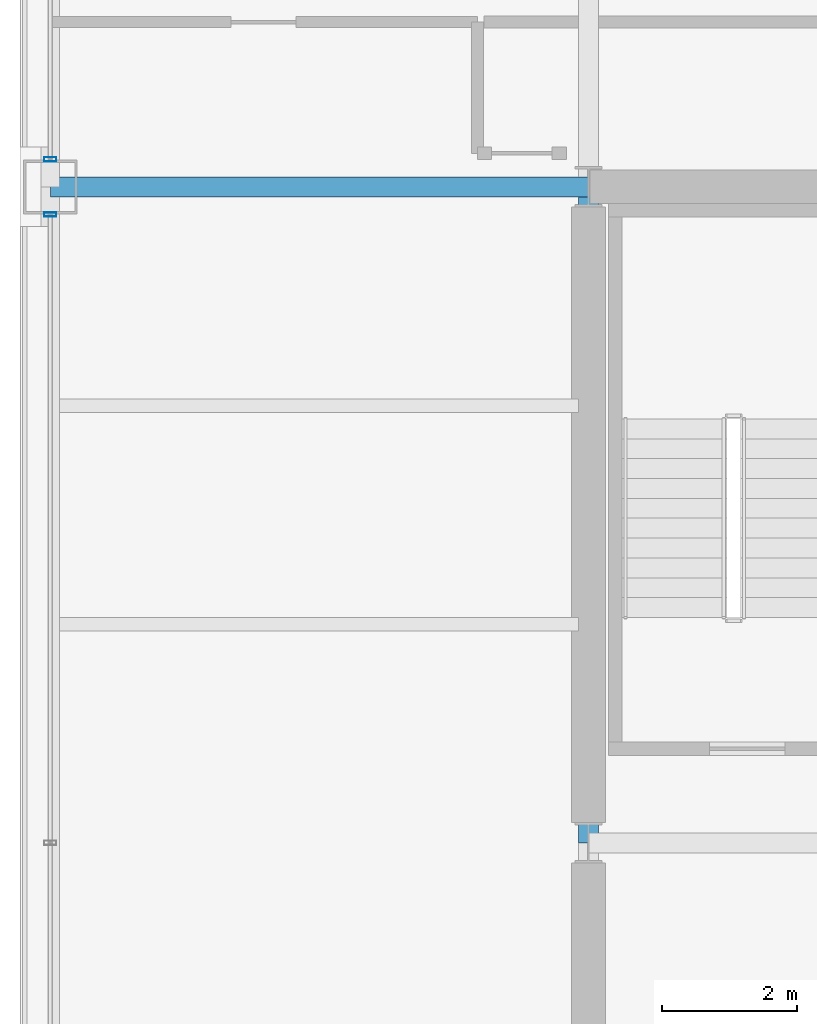
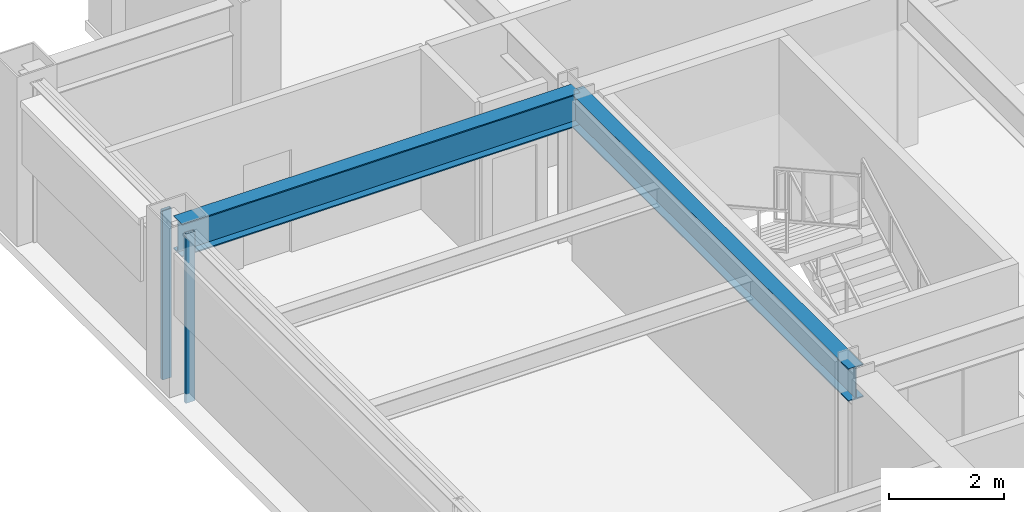
# One storey, part 10 of 29: 2 beams, 2 members, 2 elements without a shape of their own.
"""IFC4 building model written with IfcOpenShell, lengths in metres."""

import ifcopenshell
import ifcopenshell.guid

model = None  # the IFC model being written
_history = None  # IfcOwnerHistory: only IFC2X3 demands one
_inside = {}  # id of a spatial element -> (the spatial element, [elements in it])
_under = {}  # id of a project, library or spatial element -> (it, [spatial elements below it])
_declared = {}  # id of a project -> (the project, [libraries it declares])
_typed = {}  # id of a type object -> (the type object, [elements of that type])
_made_of = {}  # id of a material, layer set ... -> (it, [elements and type objects made of it])


def new_model(schema):
    """Start an empty IFC model of exactly this schema.

    Asked for "IFC4X3", IfcOpenShell would pick the latest addendum, in which some entities
    have other attributes; the version numbers below select the first issue.
    IFC2X3 requires an IfcOwnerHistory on every rooted entity: one is made here for all.
    """
    global model, _history
    if schema == "IFC4X3":
        model = ifcopenshell.file(schema_version=(4, 3, 0, 0))
    else:
        model = ifcopenshell.file(schema=schema)
    _inside.clear()
    _under.clear()
    _declared.clear()
    _typed.clear()
    _made_of.clear()
    _history = None
    if model.schema == "IFC2X3":
        org = make("IfcOrganization", Name="unknown")
        user = make(
            "IfcPersonAndOrganization",
            ThePerson=make("IfcPerson", FamilyName="unknown"),
            TheOrganization=org,
        )
        app = make(
            "IfcApplication",
            ApplicationDeveloper=org,
            Version="unknown",
            ApplicationFullName="unknown",
            ApplicationIdentifier="unknown",
        )
        _history = make(
            "IfcOwnerHistory",
            OwningUser=user,
            OwningApplication=app,
            ChangeAction="ADDED",
            CreationDate=0,
        )
    return model


def make(cls, **values):
    """One entity of the class cls with the attributes given. An attribute that is None is left unset."""
    return model.create_entity(
        cls, **{name: value for name, value in values.items() if value is not None}
    )


def rooted(cls, **values):
    """An entity with a GlobalId (a new one), such as an element, a storey or a relation."""
    return make(cls, GlobalId=ifcopenshell.guid.new(), OwnerHistory=_history, **values)


def si_unit(unit_type, name, prefix=None):
    """IfcSIUnit, for example si_unit("LENGTHUNIT", "METRE", prefix="MILLI")."""
    return make("IfcSIUnit", UnitType=unit_type, Prefix=prefix, Name=name)


def assignment(units):
    """IfcUnitAssignment: the units of a project."""
    return None if units is None else make("IfcUnitAssignment", Units=units)


def point(xyz):
    """IfcCartesianPoint."""
    return None if xyz is None else make("IfcCartesianPoint", Coordinates=xyz)


def direction(xyz):
    """IfcDirection."""
    return None if xyz is None else make("IfcDirection", DirectionRatios=xyz)


def frame(location, z_axis=None, x_axis=None):
    """IfcAxis2Placement3D, a coordinate frame: its origin and axes. An axis left out is left unset."""
    return make(
        "IfcAxis2Placement3D",
        Location=point(location),
        Axis=direction(z_axis),
        RefDirection=direction(x_axis),
    )


def frame_2d(location, x_axis=None):
    """IfcAxis2Placement2D, a coordinate frame in the plane: its origin and x axis."""
    return make(
        "IfcAxis2Placement2D", Location=point(location), RefDirection=direction(x_axis)
    )


def origin():
    """The frame at (0, 0, 0) with its axes left unset."""
    return frame((0.0, 0.0, 0.0))


def origin_2d():
    """The frame at (0, 0) in the plane with its x axis left unset."""
    return frame_2d((0.0, 0.0))


def place(relative_to, where):
    """IfcLocalPlacement: puts the frame where relative to a parent placement (None: the world)."""
    return make(
        "IfcLocalPlacement", PlacementRelTo=relative_to, RelativePlacement=where
    )


def context(
    kind, dimensions, precision=None, world=None, true_north=None, identifier=None
):
    """IfcGeometricRepresentationContext, for example the 3D "Model" context."""
    return make(
        "IfcGeometricRepresentationContext",
        ContextIdentifier=identifier,
        ContextType=kind,
        CoordinateSpaceDimension=dimensions,
        Precision=precision,
        WorldCoordinateSystem=world,
        TrueNorth=true_north,
    )


def subcontext(parent, identifier, kind, view, scale=None):
    """IfcGeometricRepresentationSubContext, for example "Body" below "Model"."""
    return make(
        "IfcGeometricRepresentationSubContext",
        ContextIdentifier=identifier,
        ContextType=kind,
        ParentContext=parent,
        TargetScale=scale,
        TargetView=view,
    )


def project(units=None, contexts=None):
    """IfcProject with its units and contexts."""
    return rooted(
        "IfcProject",
        Name="project",
        RepresentationContexts=contexts,
        UnitsInContext=assignment(units),
    )


def spatial(cls, under=None, at=None, **own):
    """A site, building, storey or space (cls), placed at a placement, below another one or the project."""
    s = rooted(cls, ObjectPlacement=at, **own)
    if under is not None:
        _under.setdefault(under.id(), (under, []))[1].append(s)
    return s


def profile(cls, at=None, kind="AREA", **sizes):
    """A parametric profile (cls). Its sizes go by their IFC names, for example OverallWidth=200.0."""
    return make(cls, ProfileType=kind, Position=at, **sizes)


def hollow_rectangle(**sizes):
    """IfcRectangleHollowProfileDef."""
    return profile("IfcRectangleHollowProfileDef", **sizes)


def i_section(**sizes):
    """IfcIShapeProfileDef."""
    return profile("IfcIShapeProfileDef", **sizes)


def extrude(swept, where, along, depth):
    """IfcExtrudedAreaSolid: the profile swept, set in the frame where, extruded along a direction by depth."""
    return make(
        "IfcExtrudedAreaSolid",
        SweptArea=swept,
        Position=where,
        ExtrudedDirection=direction(along),
        Depth=depth,
    )


def shape(context_of_items, identifier, shape_type, items):
    """IfcShapeRepresentation: the items that make up one representation, for example the "Body"."""
    return make(
        "IfcShapeRepresentation",
        ContextOfItems=context_of_items,
        RepresentationIdentifier=identifier,
        RepresentationType=shape_type,
        Items=items,
    )


def material(Name=None, Category=None):
    """IfcMaterial."""
    return make("IfcMaterial", Name=Name, Category=Category)


def layer(
    of_material, thickness, ventilated=None, Name=None, Category=None, Priority=None
):
    """IfcMaterialLayer: one layer of a wall or slab, of a material (None: an air gap)."""
    return make(
        "IfcMaterialLayer",
        Material=of_material,
        LayerThickness=thickness,
        IsVentilated=ventilated,
        Name=Name,
        Category=Category,
        Priority=Priority,
    )


def layer_set(layers, Name=None):
    """IfcMaterialLayerSet."""
    return make("IfcMaterialLayerSet", MaterialLayers=layers, LayerSetName=Name)


def material_profile(
    of_material, cross_section, Name=None, Category=None, Priority=None
):
    """IfcMaterialProfile: a cross section and its material."""
    return make(
        "IfcMaterialProfile",
        Name=Name,
        Material=of_material,
        Profile=cross_section,
        Priority=Priority,
        Category=Category,
    )


def profile_set(profiles, Name=None, composite=None):
    """IfcMaterialProfileSet."""
    return make(
        "IfcMaterialProfileSet",
        Name=Name,
        MaterialProfiles=profiles,
        CompositeProfile=composite,
    )


def made_of(thing, what):
    """Note that an element or type object is made of a material, layer set ...; save() writes the relation."""
    if what is not None:
        _made_of.setdefault(what.id(), (what, []))[1].append(thing)
    return thing


def type_object(cls, material=None, **own):
    """A type object (cls), such as IfcWallType, which elements share."""
    return made_of(rooted(cls, **own), material)


def element(
    cls,
    number,
    at=None,
    inside=None,
    cuts=None,
    type_object=None,
    material=None,
    context=None,
    identifier="Body",
    shape_type=None,
    held_by="IfcProductDefinitionShape",
    body=None,
    shapes=None,
    **own,
):
    """One element of the class cls, such as IfcWall. Its Tag is "e" and its number.

    at: its placement. inside: the storey or other place that contains it. cuts: it is an
    opening in that element (IfcRelVoidsElement). A single representation is given by context,
    identifier, shape_type and body (its items); several are given by shapes. held_by: the class
    of the entity that holds the representations. save() writes the other relations.
    """
    e = rooted(cls, Tag="e%d" % number, ObjectPlacement=at, **own)
    if body is not None:
        shapes = [shape(context, identifier, shape_type, body)]
    if shapes is not None:
        e.Representation = make(held_by, Representations=shapes)
    if inside is not None:
        _inside.setdefault(inside.id(), (inside, []))[1].append(e)
    if cuts is not None:
        rooted(
            "IfcRelVoidsElement", RelatingBuildingElement=cuts, RelatedOpeningElement=e
        )
    if type_object is not None:
        _typed.setdefault(type_object.id(), (type_object, []))[1].append(e)
    return made_of(e, material)


def aggregate(whole, parts):
    """IfcRelAggregates: a whole, such as a stair, and the parts it consists of."""
    return rooted("IfcRelAggregates", RelatingObject=whole, RelatedObjects=parts)


def save(model, path):
    """Write the relations noted so far, then the file.

    IfcRelAggregates (storeys below a building ...), IfcRelContainedInSpatialStructure (elements
    in a storey), IfcRelDefinesByType, IfcRelAssociatesMaterial and IfcRelDeclares: one each for
    every whole, place, type object, material and project.
    """
    for whole, parts in _under.values():
        aggregate(whole, parts)
    for where, things in _inside.values():
        rooted(
            "IfcRelContainedInSpatialStructure",
            RelatedElements=things,
            RelatingStructure=where,
        )
    for kind, things in _typed.values():
        rooted("IfcRelDefinesByType", RelatedObjects=things, RelatingType=kind)
    for what, things in _made_of.values():
        rooted("IfcRelAssociatesMaterial", RelatedObjects=things, RelatingMaterial=what)
    for by, libraries in _declared.values():
        rooted("IfcRelDeclares", RelatingContext=by, RelatedDefinitions=libraries)
    model.write(path)


model = new_model("IFC4")

# Units and contexts
model_context = context("Model", 3, precision=1e-05, world=origin(), true_north=direction((0.0, 1.0)))
body_context = subcontext(model_context, "Body", "Model", "MODEL_VIEW")
ifc_project = project(units=[si_unit("LENGTHUNIT", "METRE"), si_unit("AREAUNIT", "SQUARE_METRE"), si_unit("VOLUMEUNIT", "CUBIC_METRE"), si_unit("PLANEANGLEUNIT", "RADIAN"), si_unit("MASSUNIT", "GRAM", prefix="KILO")], contexts=[model_context])

# Site, building, storey
site_placement = place(None, origin())
site = spatial("IfcSite", under=ifc_project, at=site_placement, CompositionType="ELEMENT")
building_placement = place(site_placement, origin())
building = spatial("IfcBuilding", under=site, at=building_placement, Name="Brelmoor Portico Tower", CompositionType="ELEMENT")
storey_placement = place(building_placement, frame((0.0, 0.0, 124.199951171875)))
storey = spatial("IfcBuildingStorey", under=building, at=storey_placement, Name="L32", CompositionType="ELEMENT", Elevation=124.199951171875)

# Beams
ifc_material_1 = material(Name="Steel Q355B", Category="steel")
ifc_material_profile_1 = material_profile(ifc_material_1, i_section(OverallWidth=0.300048828125, OverallDepth=0.699951171875, WebThickness=0.012939453125, FlangeThickness=0.02392578125, at=origin_2d()), Name="HN 700x300x13x24")
ifc_profile_set_1 = profile_set([ifc_material_profile_1], Name="Steel Q355B")
beam_type = type_object("IfcBeamType", Name="BM-PG-700", PredefinedType="BEAM", material=ifc_profile_set_1)
beam_1_placement = place(storey_placement, frame((-14.550048828125, 0.0, 3.050048828125), z_axis=(0.0, 1.0, 0.0), x_axis=(-1.0, 0.0, 0.0)))
element("IfcBeam", 1, at=beam_1_placement, inside=storey, type_object=beam_type, Name="L32 Primary Floor Girder PG-03", PredefinedType="BEAM", context=body_context, shape_type="SweptSolid", body=[
    extrude(i_section(OverallWidth=0.300048828125, OverallDepth=0.699951171875, WebThickness=0.012939453125, FlangeThickness=0.02392578125, at=origin_2d()), origin(), (0.0, 0.0, 1.0), 9.75),
])
beam_2_placement = place(storey_placement, frame((-22.550048828125, 9.75, 3.050048828125), z_axis=(1.0, 0.0, 0.0), x_axis=(0.0, 1.0, 0.0)))
element("IfcBeam", 2, at=beam_2_placement, inside=storey, type_object=beam_type, Name="L32 Primary Floor Girder PG-22", PredefinedType="BEAM", context=body_context, shape_type="SweptSolid", body=[
    extrude(i_section(OverallWidth=0.300048828125, OverallDepth=0.699951171875, WebThickness=0.012939453125, FlangeThickness=0.02392578125, at=origin_2d()), origin(), (0.0, 0.0, 1.0), 8.0),
])

# Curtain wall, member
ifc_material_2 = material(Name="Anodised Aluminium Alloy 6063-T6", Category="aluminium")
ifc_layer = layer(ifc_material_2, 0.179931640625)
ifc_layer_set = layer_set([ifc_layer], Name="Anodised Aluminium Alloy 6063-T6")
curtain_wall_type = type_object("IfcCurtainWallType", Name="CW-TOWER-Z2-XB", PredefinedType="NOTDEFINED", material=ifc_layer_set)
curtain_wall_1_placement = place(storey_placement, origin())
curtain_wall_1 = element("IfcCurtainWall", 3, at=curtain_wall_1_placement, inside=storey, type_object=curtain_wall_type, Name="L32 Curtain Wall CW-L32-03-2", PredefinedType="NOTDEFINED")
ifc_material_profile_2 = material_profile(ifc_material_2, hollow_rectangle(XDim=0.06494140625, YDim=0.179931640625, WallThickness=0.00390625, at=origin_2d()), Name="ALU MULLION 65x180")
ifc_profile_set_2 = profile_set([ifc_material_profile_2], Name="Anodised Aluminium Alloy 6063-T6")
member_type = type_object("IfcMemberType", Name="MB-CW-MULL-180", PredefinedType="MULLION", material=ifc_profile_set_2)
member_1_placement = place(storey_placement, frame((-22.550048828125, 9.340087890625, -0.199951171875), z_axis=(0.0, 0.0, 1.0), x_axis=(0.0, 1.0, 0.0)))
member_1 = element("IfcMember", 4, at=member_1_placement, type_object=member_type, Name="CW-L32-03-2 Mullion 02", PredefinedType="MULLION", context=body_context, shape_type="SweptSolid", body=[
    extrude(hollow_rectangle(XDim=0.06494140625, YDim=0.179931640625, WallThickness=0.00390625, at=origin_2d()), origin(), (0.0, 0.0, 1.0), 3.60009765625),
])
aggregate(curtain_wall_1, [member_1])

curtain_wall_2_placement = place(storey_placement, origin())
curtain_wall_2 = element("IfcCurtainWall", 5, at=curtain_wall_2_placement, inside=storey, type_object=curtain_wall_type, Name="L32 Curtain Wall CW-L32-03-3", PredefinedType="NOTDEFINED")
member_2_placement = place(storey_placement, frame((-22.550048828125, 10.159912109375, -0.199951171875), z_axis=(0.0, 0.0, 1.0), x_axis=(0.0, 1.0, 0.0)))
member_2 = element("IfcMember", 6, at=member_2_placement, type_object=member_type, Name="CW-L32-03-3 Mullion 00", PredefinedType="MULLION", context=body_context, shape_type="SweptSolid", body=[
    extrude(hollow_rectangle(XDim=0.06494140625, YDim=0.179931640625, WallThickness=0.00390625, at=origin_2d()), origin(), (0.0, 0.0, 1.0), 3.60009765625),
])
aggregate(curtain_wall_2, [member_2])

save(model, "model.ifc")
